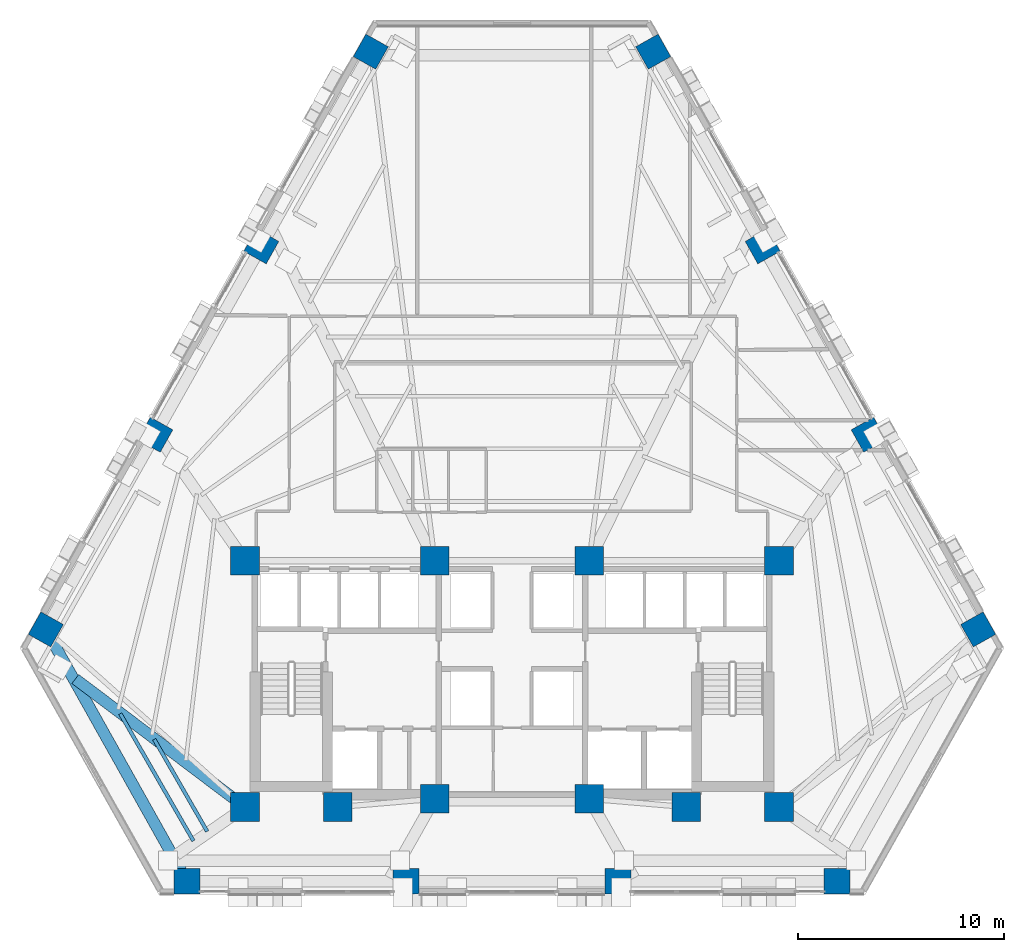
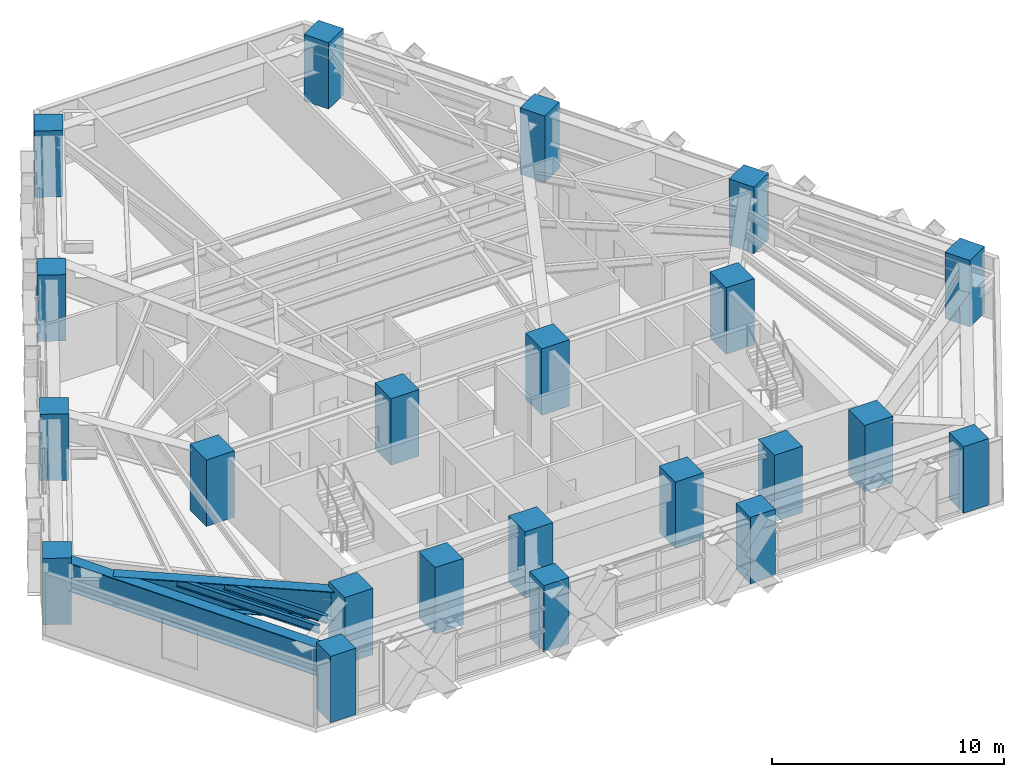
# One storey, part 1 of 14: 22 columns, 4 beams.
"""IFC4 building model written with IfcOpenShell, lengths in metres."""

import ifcopenshell
import ifcopenshell.guid

model = None  # the IFC model being written
_history = None  # IfcOwnerHistory: only IFC2X3 demands one
_inside = {}  # id of a spatial element -> (the spatial element, [elements in it])
_under = {}  # id of a project, library or spatial element -> (it, [spatial elements below it])
_declared = {}  # id of a project -> (the project, [libraries it declares])
_typed = {}  # id of a type object -> (the type object, [elements of that type])
_made_of = {}  # id of a material, layer set ... -> (it, [elements and type objects made of it])


def new_model(schema):
    """Start an empty IFC model of exactly this schema.

    Asked for "IFC4X3", IfcOpenShell would pick the latest addendum, in which some entities
    have other attributes; the version numbers below select the first issue.
    IFC2X3 requires an IfcOwnerHistory on every rooted entity: one is made here for all.
    """
    global model, _history
    if schema == "IFC4X3":
        model = ifcopenshell.file(schema_version=(4, 3, 0, 0))
    else:
        model = ifcopenshell.file(schema=schema)
    _inside.clear()
    _under.clear()
    _declared.clear()
    _typed.clear()
    _made_of.clear()
    _history = None
    if model.schema == "IFC2X3":
        org = make("IfcOrganization", Name="unknown")
        user = make(
            "IfcPersonAndOrganization",
            ThePerson=make("IfcPerson", FamilyName="unknown"),
            TheOrganization=org,
        )
        app = make(
            "IfcApplication",
            ApplicationDeveloper=org,
            Version="unknown",
            ApplicationFullName="unknown",
            ApplicationIdentifier="unknown",
        )
        _history = make(
            "IfcOwnerHistory",
            OwningUser=user,
            OwningApplication=app,
            ChangeAction="ADDED",
            CreationDate=0,
        )
    return model


def make(cls, **values):
    """One entity of the class cls with the attributes given. An attribute that is None is left unset."""
    return model.create_entity(
        cls, **{name: value for name, value in values.items() if value is not None}
    )


def rooted(cls, **values):
    """An entity with a GlobalId (a new one), such as an element, a storey or a relation."""
    return make(cls, GlobalId=ifcopenshell.guid.new(), OwnerHistory=_history, **values)


def si_unit(unit_type, name, prefix=None):
    """IfcSIUnit, for example si_unit("LENGTHUNIT", "METRE", prefix="MILLI")."""
    return make("IfcSIUnit", UnitType=unit_type, Prefix=prefix, Name=name)


def assignment(units):
    """IfcUnitAssignment: the units of a project."""
    return None if units is None else make("IfcUnitAssignment", Units=units)


def point(xyz):
    """IfcCartesianPoint."""
    return None if xyz is None else make("IfcCartesianPoint", Coordinates=xyz)


def direction(xyz):
    """IfcDirection."""
    return None if xyz is None else make("IfcDirection", DirectionRatios=xyz)


def frame(location, z_axis=None, x_axis=None):
    """IfcAxis2Placement3D, a coordinate frame: its origin and axes. An axis left out is left unset."""
    return make(
        "IfcAxis2Placement3D",
        Location=point(location),
        Axis=direction(z_axis),
        RefDirection=direction(x_axis),
    )


def frame_2d(location, x_axis=None):
    """IfcAxis2Placement2D, a coordinate frame in the plane: its origin and x axis."""
    return make(
        "IfcAxis2Placement2D", Location=point(location), RefDirection=direction(x_axis)
    )


def origin():
    """The frame at (0, 0, 0) with its axes left unset."""
    return frame((0.0, 0.0, 0.0))


def origin_2d():
    """The frame at (0, 0) in the plane with its x axis left unset."""
    return frame_2d((0.0, 0.0))


def place(relative_to, where):
    """IfcLocalPlacement: puts the frame where relative to a parent placement (None: the world)."""
    return make(
        "IfcLocalPlacement", PlacementRelTo=relative_to, RelativePlacement=where
    )


def context(
    kind, dimensions, precision=None, world=None, true_north=None, identifier=None
):
    """IfcGeometricRepresentationContext, for example the 3D "Model" context."""
    return make(
        "IfcGeometricRepresentationContext",
        ContextIdentifier=identifier,
        ContextType=kind,
        CoordinateSpaceDimension=dimensions,
        Precision=precision,
        WorldCoordinateSystem=world,
        TrueNorth=true_north,
    )


def subcontext(parent, identifier, kind, view, scale=None):
    """IfcGeometricRepresentationSubContext, for example "Body" below "Model"."""
    return make(
        "IfcGeometricRepresentationSubContext",
        ContextIdentifier=identifier,
        ContextType=kind,
        ParentContext=parent,
        TargetScale=scale,
        TargetView=view,
    )


def project(units=None, contexts=None):
    """IfcProject with its units and contexts."""
    return rooted(
        "IfcProject",
        Name="project",
        RepresentationContexts=contexts,
        UnitsInContext=assignment(units),
    )


def spatial(cls, under=None, at=None, **own):
    """A site, building, storey or space (cls), placed at a placement, below another one or the project."""
    s = rooted(cls, ObjectPlacement=at, **own)
    if under is not None:
        _under.setdefault(under.id(), (under, []))[1].append(s)
    return s


def profile(cls, at=None, kind="AREA", **sizes):
    """A parametric profile (cls). Its sizes go by their IFC names, for example OverallWidth=200.0."""
    return make(cls, ProfileType=kind, Position=at, **sizes)


def rectangle(**sizes):
    """IfcRectangleProfileDef."""
    return profile("IfcRectangleProfileDef", **sizes)


def i_section(**sizes):
    """IfcIShapeProfileDef."""
    return profile("IfcIShapeProfileDef", **sizes)


def extrude(swept, where, along, depth):
    """IfcExtrudedAreaSolid: the profile swept, set in the frame where, extruded along a direction by depth."""
    return make(
        "IfcExtrudedAreaSolid",
        SweptArea=swept,
        Position=where,
        ExtrudedDirection=direction(along),
        Depth=depth,
    )


def shape(context_of_items, identifier, shape_type, items):
    """IfcShapeRepresentation: the items that make up one representation, for example the "Body"."""
    return make(
        "IfcShapeRepresentation",
        ContextOfItems=context_of_items,
        RepresentationIdentifier=identifier,
        RepresentationType=shape_type,
        Items=items,
    )


def material(Name=None, Category=None):
    """IfcMaterial."""
    return make("IfcMaterial", Name=Name, Category=Category)


def material_profile(
    of_material, cross_section, Name=None, Category=None, Priority=None
):
    """IfcMaterialProfile: a cross section and its material."""
    return make(
        "IfcMaterialProfile",
        Name=Name,
        Material=of_material,
        Profile=cross_section,
        Priority=Priority,
        Category=Category,
    )


def profile_set(profiles, Name=None, composite=None):
    """IfcMaterialProfileSet."""
    return make(
        "IfcMaterialProfileSet",
        Name=Name,
        MaterialProfiles=profiles,
        CompositeProfile=composite,
    )


def made_of(thing, what):
    """Note that an element or type object is made of a material, layer set ...; save() writes the relation."""
    if what is not None:
        _made_of.setdefault(what.id(), (what, []))[1].append(thing)
    return thing


def type_object(cls, material=None, **own):
    """A type object (cls), such as IfcWallType, which elements share."""
    return made_of(rooted(cls, **own), material)


def element(
    cls,
    number,
    at=None,
    inside=None,
    cuts=None,
    type_object=None,
    material=None,
    context=None,
    identifier="Body",
    shape_type=None,
    held_by="IfcProductDefinitionShape",
    body=None,
    shapes=None,
    **own,
):
    """One element of the class cls, such as IfcWall. Its Tag is "e" and its number.

    at: its placement. inside: the storey or other place that contains it. cuts: it is an
    opening in that element (IfcRelVoidsElement). A single representation is given by context,
    identifier, shape_type and body (its items); several are given by shapes. held_by: the class
    of the entity that holds the representations. save() writes the other relations.
    """
    e = rooted(cls, Tag="e%d" % number, ObjectPlacement=at, **own)
    if body is not None:
        shapes = [shape(context, identifier, shape_type, body)]
    if shapes is not None:
        e.Representation = make(held_by, Representations=shapes)
    if inside is not None:
        _inside.setdefault(inside.id(), (inside, []))[1].append(e)
    if cuts is not None:
        rooted(
            "IfcRelVoidsElement", RelatingBuildingElement=cuts, RelatedOpeningElement=e
        )
    if type_object is not None:
        _typed.setdefault(type_object.id(), (type_object, []))[1].append(e)
    return made_of(e, material)


def aggregate(whole, parts):
    """IfcRelAggregates: a whole, such as a stair, and the parts it consists of."""
    return rooted("IfcRelAggregates", RelatingObject=whole, RelatedObjects=parts)


def save(model, path):
    """Write the relations noted so far, then the file.

    IfcRelAggregates (storeys below a building ...), IfcRelContainedInSpatialStructure (elements
    in a storey), IfcRelDefinesByType, IfcRelAssociatesMaterial and IfcRelDeclares: one each for
    every whole, place, type object, material and project.
    """
    for whole, parts in _under.values():
        aggregate(whole, parts)
    for where, things in _inside.values():
        rooted(
            "IfcRelContainedInSpatialStructure",
            RelatedElements=things,
            RelatingStructure=where,
        )
    for kind, things in _typed.values():
        rooted("IfcRelDefinesByType", RelatedObjects=things, RelatingType=kind)
    for what, things in _made_of.values():
        rooted("IfcRelAssociatesMaterial", RelatedObjects=things, RelatingMaterial=what)
    for by, libraries in _declared.values():
        rooted("IfcRelDeclares", RelatingContext=by, RelatedDefinitions=libraries)
    model.write(path)


model = new_model("IFC4")

# Units and contexts
model_context = context("Model", 3, precision=1e-05, world=origin(), true_north=direction((0.0, 1.0)))
body_context = subcontext(model_context, "Body", "Model", "MODEL_VIEW")
ifc_project = project(units=[si_unit("LENGTHUNIT", "METRE"), si_unit("AREAUNIT", "SQUARE_METRE"), si_unit("VOLUMEUNIT", "CUBIC_METRE"), si_unit("PLANEANGLEUNIT", "RADIAN"), si_unit("MASSUNIT", "GRAM", prefix="KILO")], contexts=[model_context])

# Site, building, storey
site_placement = place(None, origin())
site = spatial("IfcSite", under=ifc_project, at=site_placement, CompositionType="ELEMENT")
building_placement = place(site_placement, origin())
building = spatial("IfcBuilding", under=site, at=building_placement, Name="Quenlor Broadcast Tower", CompositionType="ELEMENT")
storey_placement = place(building_placement, frame((0.0, 0.0, 73.10009765625)))
storey = spatial("IfcBuildingStorey", under=building, at=storey_placement, Name="L19", CompositionType="ELEMENT", Elevation=73.10009765625)

# Columns
ifc_material_1 = material(Name="Concrete C65/80", Category="concrete")
ifc_material_profile_1 = material_profile(ifc_material_1, rectangle(XDim=1.39990234375, YDim=1.39990234375, at=origin_2d()))
ifc_profile_set_1 = profile_set([ifc_material_profile_1], Name="Concrete C65/80 RC1400x1400")
column_type_1 = type_object("IfcColumnType", Name="Core Corner Column Lower Concrete C65/80 1400", PredefinedType="COLUMN", material=ifc_profile_set_1)
for number, where, z_axis, x_axis, name in (
    (1, (-12.949951171875, -16.75, 0.0), (0.0, 0.0, 1.0), (1.0, 0.0, 0.0), "L19 Core Column CC1"),
    (2, (-8.449951171875, -16.75, 0.0), (0.0, 0.0, 1.0), (1.0, 0.0, 0.0), "L19 Core Column CC2"),
    (3, (-3.75, -16.35009765625, 0.0), (0.0, 0.0, 1.0), (1.0, 0.0, 0.0), "L19 Core Column CC3"),
    (4, (3.75, -16.35009765625, 0.0), (0.0, 0.0, 1.0), (1.0, 0.0, 0.0), "L19 Core Column CC4"),
    (5, (8.449951171875, -16.75, 0.0), (0.0, 0.0, 1.0), (1.0, 0.0, 0.0), "L19 Core Column CC5"),
    (6, (12.949951171875, -16.75, 0.0), (0.0, 0.0, 1.0), (1.0, 0.0, 0.0), "L19 Core Column CC6"),
    (7, (-12.949951171875, -4.800048828125, 0.0), (0.0, 0.0, 1.0), (1.0, 0.0, 0.0), "L19 Core Column CC7"),
    (8, (-3.75, -4.800048828125, 0.0), (0.0, 0.0, 1.0), (1.0, 0.0, 0.0), "L19 Core Column CC8"),
    (9, (3.75, -4.800048828125, 0.0), (0.0, 0.0, 1.0), (1.0, 0.0, 0.0), "L19 Core Column CC9"),
    (10, (12.949951171875, -4.800048828125, 0.0), (0.0, 0.0, 1.0), (1.0, 0.0, 0.0), "L19 Core Column CC10"),
):
    element("IfcColumn", number, at=place(storey_placement, frame(where, z_axis=z_axis, x_axis=x_axis)), inside=storey, type_object=column_type_1, Name=name, PredefinedType="COLUMN", context=body_context, shape_type="SweptSolid", body=[
        extrude(rectangle(XDim=1.39990234375, YDim=1.39990234375, at=origin_2d()), origin(), (0.0, 0.0, 1.0), 3.5),
    ])
ifc_material_2 = material(Name="Concrete C65/80", Category="concrete")
ifc_material_profile_2 = material_profile(ifc_material_2, rectangle(XDim=1.25, YDim=1.25, at=origin_2d()))
ifc_profile_set_2 = profile_set([ifc_material_profile_2], Name="Concrete C65/80 RC1250x1250")
column_type_2 = type_object("IfcColumnType", Name="Tower Perimeter Column Z1 Concrete C65/80 1250", PredefinedType="COLUMN", material=ifc_profile_set_2)
for number, where, z_axis, x_axis, name in (
    (11, (-15.76513671875, -20.35009765625, 0.0), (0.0, 0.0, 1.0), (0.0, 1.0, 0.0), "L19 Perimeter Column S1"),
    (12, (-5.140869140625, -20.35009765625, 0.0), (0.0, 0.0, 1.0), (0.0, 1.0, 0.0), "L19 Perimeter Column S2"),
    (13, (5.140869140625, -20.35009765625, 0.0), (0.0, 0.0, 1.0), (0.0, 1.0, 0.0), "L19 Perimeter Column S3"),
    (14, (15.76513671875, -20.35009765625, 0.0), (0.0, 0.0, 1.0), (0.0, 1.0, 0.0), "L19 Perimeter Column S4"),
    (15, (22.6162109375, -8.132080078125, 0.0), (0.0, 0.0, 1.0), (0.871575139605, 0.490261946333, 0.0), "L19 Perimeter Column NE1"),
    (16, (17.303955078125, 1.311767578125, 0.0), (0.0, 0.0, 1.0), (0.871575139605, 0.490261946333, 0.0), "L19 Perimeter Column NE2"),
    (17, (12.1630859375, 10.450927734375, 0.0), (0.0, 0.0, 1.0), (0.871575139605, 0.490261946333, 0.0), "L19 Perimeter Column NE3"),
    (18, (6.850830078125, 19.894775390625, 0.0), (0.0, 0.0, 1.0), (0.871575139605, 0.490261946333, 0.0), "L19 Perimeter Column NE4"),
    (19, (-6.850830078125, 19.894775390625, 0.0), (0.0, 0.0, 1.0), (-0.871575139605, 0.490261946333, 0.0), "L19 Perimeter Column NW1"),
    (20, (-12.1630859375, 10.450927734375, 0.0), (0.0, 0.0, 1.0), (-0.871575139605, 0.490261946333, 0.0), "L19 Perimeter Column NW2"),
    (21, (-17.303955078125, 1.311767578125, 0.0), (0.0, 0.0, 1.0), (-0.871575139605, 0.490261946333, 0.0), "L19 Perimeter Column NW3"),
    (22, (-22.6162109375, -8.132080078125, 0.0), (0.0, 0.0, 1.0), (-0.871575139605, 0.490261946333, 0.0), "L19 Perimeter Column NW4"),
):
    element("IfcColumn", number, at=place(storey_placement, frame(where, z_axis=z_axis, x_axis=x_axis)), inside=storey, type_object=column_type_2, Name=name, PredefinedType="COLUMN", context=body_context, shape_type="SweptSolid", body=[
        extrude(rectangle(XDim=1.25, YDim=1.25, at=origin_2d()), origin(), (0.0, 0.0, 1.0), 3.5),
    ])

# Beams
ifc_material_3 = material(Name="Steel S355", Category="steel")
ifc_material_profile_3 = material_profile(ifc_material_3, i_section(OverallWidth=0.177978515625, OverallDepth=0.406494140625, WebThickness=0.0078125, FlangeThickness=0.0126953125, FilletRadius=0.011474609375, at=origin_2d()))
ifc_profile_set_3 = profile_set([ifc_material_profile_3], Name="Steel S355 410UB59.7")
beam_type_1 = type_object("IfcBeamType", Name="Tower Composite Joist Z1 Steel S355 410UB59.7", PredefinedType="JOIST", material=ifc_profile_set_3)
beam_1_placement = place(storey_placement, frame((-14.78857421875, -17.93017578125, 3.046630859375), z_axis=(-0.498530782172, 0.866871997025, 0.0), x_axis=(-0.866871997025, -0.498530782172, 0.0)))
element("IfcBeam", 23, at=beam_1_placement, inside=storey, type_object=beam_type_1, Name="L19 Secondary Composite Joist 20", PredefinedType="JOIST", context=body_context, shape_type="SweptSolid", body=[
    extrude(i_section(OverallWidth=0.177978515625, OverallDepth=0.406494140625, WebThickness=0.0078125, FlangeThickness=0.0126953125, FilletRadius=0.011474609375, at=origin_2d()), origin(), (0.0, 0.0, 1.0), 5.1513671875),
])
beam_2_placement = place(storey_placement, frame((-15.45458984375, -18.39306640625, 3.046630859375), z_axis=(-0.498530404553, 0.866872214191, 0.0), x_axis=(-0.866872214191, -0.498530404553, 0.0)))
element("IfcBeam", 24, at=beam_2_placement, inside=storey, type_object=beam_type_1, Name="L19 Secondary Composite Joist 21", PredefinedType="JOIST", context=body_context, shape_type="SweptSolid", body=[
    extrude(i_section(OverallWidth=0.177978515625, OverallDepth=0.406494140625, WebThickness=0.0078125, FlangeThickness=0.0126953125, FilletRadius=0.011474609375, at=origin_2d()), origin(), (0.0, 0.0, 1.0), 7.11865234375),
])
ifc_material_4 = material(Name="Steel S355", Category="steel")
ifc_material_profile_4 = material_profile(ifc_material_4, i_section(OverallWidth=0.550048828125, OverallDepth=1.5, WebThickness=0.02197265625, FlangeThickness=0.034912109375, FilletRadius=0.01806640625, at=origin_2d()))
ifc_profile_set_4 = profile_set([ifc_material_profile_4], Name="Steel S355 1500TG510")
beam_type_2 = type_object("IfcBeamType", Name="Zone Setback Transfer Girder Steel S355 1500", PredefinedType="BEAM", material=ifc_profile_set_4)
beam_3_placement = place(storey_placement, frame((-22.41552734375, -8.48974609375, 2.5), z_axis=(0.489090917871, -0.87223280955, 0.0), x_axis=(0.87223280955, 0.489090917871, 0.0)))
element("IfcBeam", 25, at=beam_3_placement, inside=storey, type_object=beam_type_2, Name="L19 Spandrel Beam NW4-S1", PredefinedType="BEAM", context=body_context, shape_type="SweptSolid", body=[
    extrude(i_section(OverallWidth=0.550048828125, OverallDepth=1.5, WebThickness=0.02197265625, FlangeThickness=0.034912109375, FilletRadius=0.01806640625, at=origin_2d()), origin(), (0.0, 0.0, 1.0), 13.187744140625),
])
beam_4_placement = place(storey_placement, frame((-13.25341796875, -16.52099609375, 2.5), z_axis=(-0.798295260461, 0.602266284235, 0.0), x_axis=(-0.602266284235, -0.798295260461, 0.0)))
element("IfcBeam", 26, at=beam_4_placement, inside=storey, type_object=beam_type_2, Name="L19 Setback Transfer Girder NW4", PredefinedType="BEAM", context=body_context, shape_type="SweptSolid", body=[
    extrude(i_section(OverallWidth=0.550048828125, OverallDepth=1.5, WebThickness=0.02197265625, FlangeThickness=0.034912109375, FilletRadius=0.01806640625, at=origin_2d()), origin(), (0.0, 0.0, 1.0), 9.934814453125),
])

save(model, "model.ifc")
